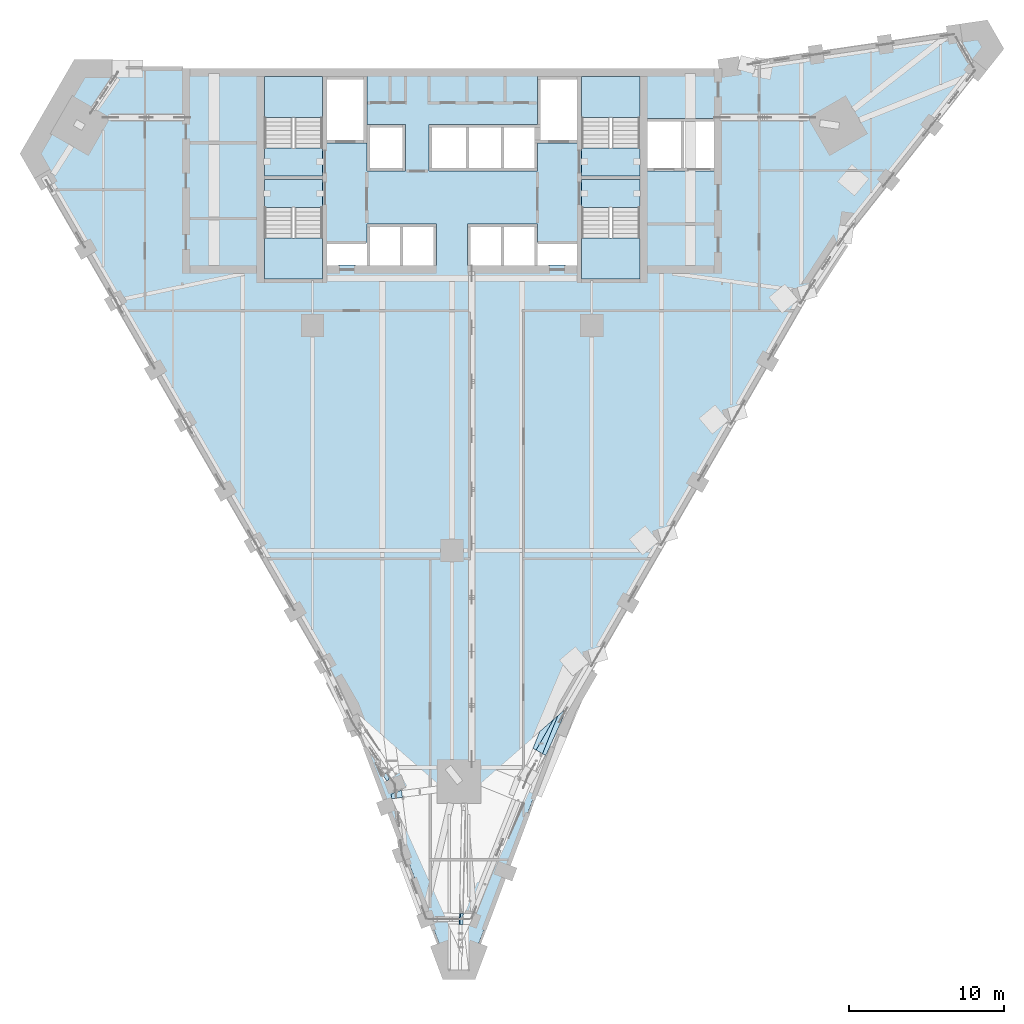
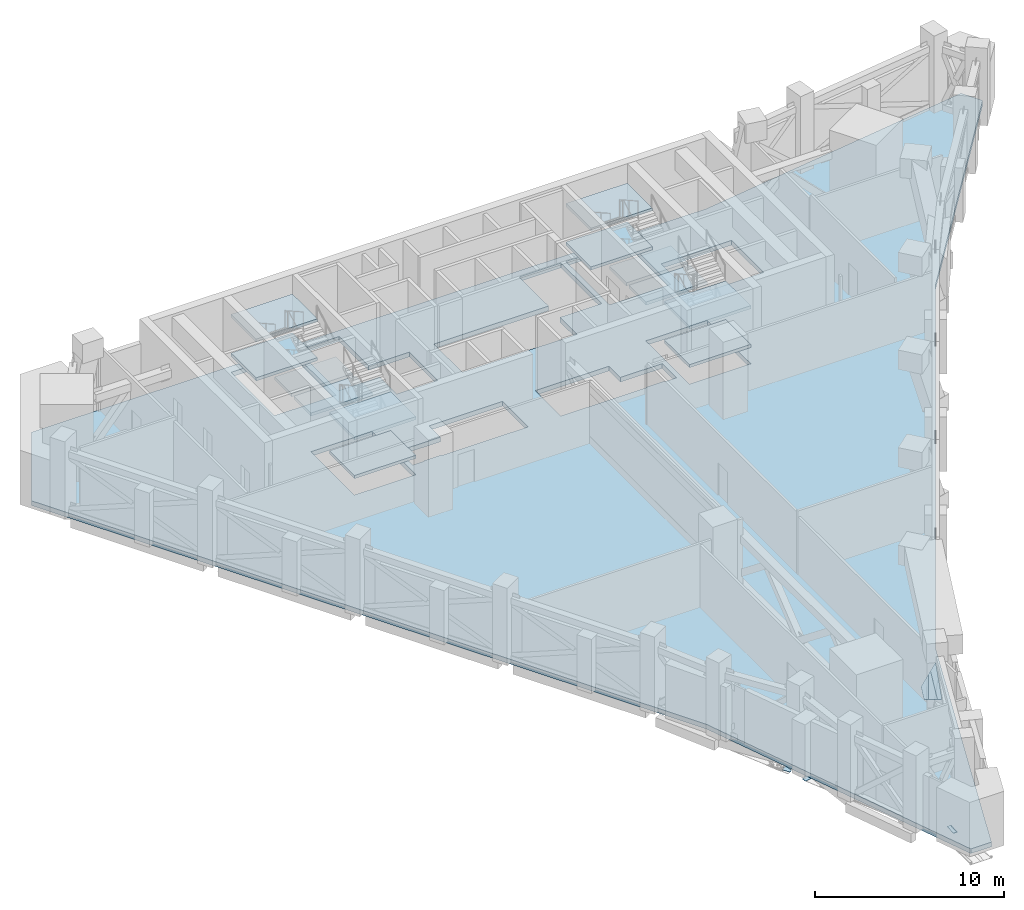
# One storey, part 7 of 20: 13 slabs, 7 plates, 4 elements without a shape of their own.
"""IFC4 building model written with IfcOpenShell, lengths in metres."""

from ifc_helpers import new_model, si_unit, direction, frame, origin, place, context, subcontext, project, spatial, polyline, outline, extrude, material, layer, layer_set, type_object, element, aggregate, save


model = new_model("IFC4")

# Units and contexts
model_context = context("Model", 3, precision=1e-05, world=origin(), true_north=direction((0.0, 1.0)))
body_context = subcontext(model_context, "Body", "Model", "MODEL_VIEW")
ifc_project = project(units=[si_unit("LENGTHUNIT", "METRE"), si_unit("AREAUNIT", "SQUARE_METRE"), si_unit("VOLUMEUNIT", "CUBIC_METRE"), si_unit("PLANEANGLEUNIT", "RADIAN"), si_unit("MASSUNIT", "GRAM", prefix="KILO")], contexts=[model_context])

# Site, building, storey
site_placement = place(None, origin())
site = spatial("IfcSite", under=ifc_project, at=site_placement, CompositionType="ELEMENT")
building_placement = place(site_placement, origin())
building = spatial("IfcBuilding", under=site, at=building_placement, Name="Calabash Gate Tower", CompositionType="ELEMENT")
storey_placement = place(building_placement, frame((0.0, 0.0, 139.60009765625)))
storey = spatial("IfcBuildingStorey", under=building, at=storey_placement, Name="L32", CompositionType="ELEMENT", Elevation=139.60009765625)

# Plates
ifc_material_1 = material(Name="Dark tinted laminated glass", Category="glass")
ifc_layer_1 = layer(ifc_material_1, 0.030029296875)
ifc_layer_set_1 = layer_set([ifc_layer_1], Name="Dark glass soffit plate 30")
plate_type_1 = type_object("IfcPlateType", Name="Dark glass soffit plate 30", PredefinedType="SHEET", material=ifc_layer_set_1)
plate_1_placement = place(storey_placement, frame((6.81103515625, -22.662109375, -0.900146484375), z_axis=(0.009750516129, -0.011611371716, 0.999885045134), x_axis=(0.75478947884, 0.655967054449, 0.000257119872)))
element("IfcPlate", 1, at=plate_1_placement, inside=storey, type_object=plate_type_1, Name="Dark glass soffit SOF-Z3-S-17", PredefinedType="SHEET", context=body_context, shape_type="SweptSolid", body=[
    extrude(outline(polyline([(0.0, 0.0), (0.840087890625, 0.0), (-2.083740234375, -1.347412109375), (-2.268798828125, -1.412109375), (-2.3427734375, -1.200439453125), (0.0, 0.0)])), origin(), (0.0, 0.0, -1.0), 0.030029296875),
])
plate_2_placement = place(storey_placement, frame((6.81103515625, -22.662109375, -0.900146484375), z_axis=(0.010387174626, -0.011975299629, 0.999874341506), x_axis=(-0.372627907834, -0.927952575917, -0.007242869117)))
element("IfcPlate", 2, at=plate_2_placement, inside=storey, type_object=plate_type_1, Name="Dark glass soffit SOF-Z3-S-20", PredefinedType="SHEET", context=body_context, shape_type="SweptSolid", body=[
    extrude(outline(polyline([(0.0, 0.0), (2.632568359375, 0.0), (2.568359375, -0.470947265625), (0.3232421875, -0.164306640625), (0.0, 0.0)])), origin(), (0.0, 0.0, -1.0), 0.030029296875),
])
plate_3_placement = place(storey_placement, frame((5.64990234375, -23.675048828125, -0.900146484375), z_axis=(0.010930622341, -0.012139177884, 0.999866572026), x_axis=(0.753830401326, 0.65706898919, -0.000263593255)))
element("IfcPlate", 3, at=plate_3_placement, inside=storey, type_object=plate_type_1, Name="Dark glass soffit SOF-Z3-S-25", PredefinedType="SHEET", context=body_context, shape_type="SweptSolid", body=[
    extrude(outline(polyline([(0.0, 0.0), (1.17822265625, 0.0), (-0.960693359375, -0.748046875), (-1.03662109375, -0.529052734375), (0.0, 0.0)])), origin(), (0.0, 0.0, -1.0), 0.030029296875),
])
ifc_material_2 = material(Name="Dark bronze anodised aluminium panel", Category="aluminium")
ifc_layer_2 = layer(ifc_material_2, 0.030029296875)
ifc_layer_set_2 = layer_set([ifc_layer_2], Name="Dark soffit panel plate 30")
plate_type_2 = type_object("IfcPlateType", Name="Dark soffit panel plate 30", PredefinedType="SHEET", material=ifc_layer_set_2)
plate_4_placement = place(storey_placement, frame((-3.548095703125, -27.51611328125, -1.005126953125), z_axis=(-0.026302896309, -0.011797475835, 0.999584402244), x_axis=(0.991590225363, 0.126443267453, 0.027584870481)))
element("IfcPlate", 4, at=plate_4_placement, inside=storey, type_object=plate_type_2, Name="Dark soffit panel SOF-Z3-S-28", PredefinedType="SHEET", context=body_context, shape_type="SweptSolid", body=[
    extrude(outline(polyline([(0.0, 0.0), (0.29345703125, 0.0), (0.29345703125, -0.443603515625), (-0.40673828125, -0.444091796875), (-0.40673828125, -0.169921875), (0.0, 0.0)])), origin(), (0.0, 0.0, -1.0), 0.030029296875),
])
plate_5_placement = place(storey_placement, frame((0.467041015625, -35.404052734375, -0.984130859375), z_axis=(0.009366415151, -0.011718087647, 0.999887472013), x_axis=(0.999768702253, -0.019249847888, -0.00959089937)))
element("IfcPlate", 5, at=plate_5_placement, inside=storey, type_object=plate_type_2, Name="Dark soffit panel SOF-Z3-S-36", PredefinedType="SHEET", context=body_context, shape_type="SweptSolid", body=[
    extrude(outline(polyline([(0.0, 0.0), (0.202880859375, 0.0), (0.20166015625, -0.7001953125), (-0.001708984375, -0.69921875), (0.0, 0.0)])), origin(), (0.0, 0.0, -1.0), 0.030029296875),
])
plate_6_placement = place(storey_placement, frame((-4.053955078125, -26.76904296875, -1.010009765625), z_axis=(-0.026130574759, -0.012426256508, 0.999581302952), x_axis=(-0.865004553745, -0.500934509896, -0.028839882045)))
element("IfcPlate", 6, at=plate_6_placement, inside=storey, type_object=plate_type_2, Name="Dark soffit panel SOF-Z3-S-37", PredefinedType="SHEET", context=body_context, shape_type="SweptSolid", body=[
    extrude(outline(polyline([(0.0, 0.0), (0.183837890625, 0.0), (0.208251953125, -0.458984375), (-0.202392578125, -0.4814453125), (0.0, 0.0)])), origin(), (0.0, 0.0, -1.0), 0.030029296875),
])
plate_7_placement = place(storey_placement, frame((0.7041015625, -36.10791015625, -0.9951171875), z_axis=(-0.026733590147, -0.01068313375, 0.999585507003), x_axis=(-0.999317220733, 0.02579635705, -0.026450714709)))
element("IfcPlate", 7, at=plate_7_placement, inside=storey, type_object=plate_type_2, Name="Dark soffit panel SOF-Z3-S-38", PredefinedType="SHEET", context=body_context, shape_type="SweptSolid", body=[
    extrude(outline(polyline([(0.0, 0.0), (0.189453125, 0.0), (0.190185546875, -0.7001953125), (0.0009765625, -0.7001953125), (0.0, 0.0)])), origin(), (0.0, 0.0, -1.0), 0.030029296875),
])

# Slab
ifc_material_3 = material(Name="Concrete C40/50", Category="concrete")
ifc_layer_3 = layer(ifc_material_3, 0.300048828125)
ifc_layer_set_3 = layer_set([ifc_layer_3], Name="Reinforced concrete floor slab 300 Concrete C40/50")
slab_type_1 = type_object("IfcSlabType", Name="Reinforced concrete floor slab 300 Concrete C40/50", PredefinedType="FLOOR", material=ifc_layer_set_3)
slab_1_placement = place(storey_placement, frame((0.0, 0.0, -0.300048828125)))
element("IfcSlab", 8, at=slab_1_placement, inside=storey, type_object=slab_type_1, Name="Floor slab L32", PredefinedType="FLOOR", context=body_context, shape_type="SweptSolid", body=[
    extrude(outline(polyline([(34.856689453125, 20.390625), (24.2099609375, 6.92822265625), (7.444580078125, -22.110595703125), (1.077880859375, -39.050048828125), (-0.188720703125, -39.050048828125), (-6.555419921875, -22.110595703125), (-27.162353515625, 13.581787109375), (-24.00390625, 19.052490234375), (17.2099609375, 19.052490234375), (34.192138671875, 21.54150390625), (34.856689453125, 20.390625)]), holes=[polyline([(-5.5, 9.052490234375), (-5.5, 7.8525390625), (-8.050048828125, 7.8525390625), (-8.050048828125, 6.3525390625), (-7.324951171875, 6.3525390625), (-7.324951171875, 6.402587890625), (-6.22509765625, 6.402587890625), (-6.22509765625, 6.3525390625), (-5.5, 6.3525390625), (-3.25, 6.3525390625), (-1.0, 6.3525390625), (-1.0, 9.052490234375), (-3.25, 9.052490234375), (-5.5, 9.052490234375)]), polyline([(5.5, 9.052490234375), (3.25, 9.052490234375), (1.0, 9.052490234375), (1.0, 6.3525390625), (3.25, 6.3525390625), (5.5, 6.3525390625), (6.22509765625, 6.3525390625), (6.22509765625, 6.402587890625), (7.324951171875, 6.402587890625), (7.324951171875, 6.3525390625), (8.050048828125, 6.3525390625), (8.050048828125, 7.8525390625), (5.5, 7.8525390625), (5.5, 9.052490234375)]), polyline([(-3.0, 12.45263671875), (-3.0, 15.45263671875), (-5.5, 15.45263671875), (-5.5, 18.552490234375), (-8.050048828125, 18.552490234375), (-8.050048828125, 14.252685546875), (-5.5, 14.252685546875), (-5.5, 12.45263671875), (-3.0, 12.45263671875)]), polyline([(-1.5, 12.45263671875), (1.0, 12.45263671875), (3.25, 12.45263671875), (5.5, 12.45263671875), (5.5, 14.252685546875), (8.050048828125, 14.252685546875), (8.050048828125, 18.552490234375), (5.5, 18.552490234375), (5.5, 15.45263671875), (3.25, 15.45263671875), (1.0, 15.45263671875), (-1.5, 15.45263671875), (-1.5, 12.45263671875)]), polyline([(14.85009765625, 12.45263671875), (16.89990234375, 12.45263671875), (16.89990234375, 15.8525390625), (14.85009765625, 15.8525390625), (12.60009765625, 15.8525390625), (12.60009765625, 12.45263671875), (14.85009765625, 12.45263671875)]), polyline([(-8.35009765625, 18.552490234375), (-12.10009765625, 18.552490234375), (-12.10009765625, 13.95263671875), (-8.35009765625, 13.95263671875), (-8.35009765625, 18.552490234375)]), polyline([(-12.10009765625, 10.1025390625), (-12.10009765625, 5.502685546875), (-8.35009765625, 5.502685546875), (-8.35009765625, 10.1025390625), (-12.10009765625, 10.1025390625)]), polyline([(8.35009765625, 13.95263671875), (12.10009765625, 13.95263671875), (12.10009765625, 18.552490234375), (8.35009765625, 18.552490234375), (8.35009765625, 13.95263671875)]), polyline([(12.10009765625, 5.502685546875), (12.10009765625, 10.1025390625), (8.35009765625, 10.1025390625), (8.35009765625, 5.502685546875), (12.10009765625, 5.502685546875)])]), origin(), (0.0, 0.0, 1.0), 0.300048828125),
])

# Stair, slabs
ifc_material_4 = material(Name="Concrete C40/50", Category="concrete")
stair_type = type_object("IfcStairType", Name="Exit stair 32 risers of 156.2 mm", PredefinedType="HALF_TURN_STAIR", material=ifc_material_4)
stair_1_placement = place(storey_placement, origin())
stair_1 = element("IfcStair", 9, at=stair_1_placement, inside=storey, type_object=stair_type, Name="L32 Exit stair ST1", PredefinedType="HALF_TURN_STAIR")
ifc_material_5 = material(Name="Concrete C40/50", Category="concrete")
ifc_layer_4 = layer(ifc_material_5, 0.199951171875)
ifc_layer_set_4 = layer_set([ifc_layer_4], Name="Stair landing SL200")
slab_type_2 = type_object("IfcSlabType", Name="Stair landing SL200", PredefinedType="LANDING", material=ifc_layer_set_4)
slab_2_placement = place(storey_placement, frame((0.0, 0.0, 1.0498046875)))
slab_2 = element("IfcSlab", 10, at=slab_2_placement, type_object=slab_type_2, Name="ST1 landing 1", PredefinedType="LANDING", context=body_context, shape_type="SweptSolid", body=[
    extrude(outline(polyline([(-8.35009765625, 15.905517578125), (-8.35009765625, 18.552490234375), (-12.10009765625, 18.552490234375), (-12.10009765625, 15.905517578125), (-8.35009765625, 15.905517578125)])), origin(), (0.0, 0.0, 1.0), 0.2001953125),
])
slab_3_placement = place(storey_placement, frame((0.0, 0.0, 2.2998046875)))
slab_3 = element("IfcSlab", 11, at=slab_3_placement, type_object=slab_type_2, Name="ST1 landing 2", PredefinedType="LANDING", context=body_context, shape_type="SweptSolid", body=[
    extrude(outline(polyline([(-8.35009765625, 12.152587890625), (-8.35009765625, 13.95263671875), (-12.10009765625, 13.95263671875), (-12.10009765625, 12.152587890625), (-8.35009765625, 12.152587890625)])), origin(), (0.0, 0.0, 1.0), 0.2001953125),
])
slab_4_placement = place(storey_placement, frame((0.0, 0.0, 3.5498046875)))
slab_4 = element("IfcSlab", 12, at=slab_4_placement, type_object=slab_type_2, Name="ST1 landing 3", PredefinedType="LANDING", context=body_context, shape_type="SweptSolid", body=[
    extrude(outline(polyline([(-8.35009765625, 15.905517578125), (-8.35009765625, 18.552490234375), (-12.10009765625, 18.552490234375), (-12.10009765625, 15.905517578125), (-8.35009765625, 15.905517578125)])), origin(), (0.0, 0.0, 1.0), 0.2001953125),
])
aggregate(stair_1, [slab_2, slab_3, slab_4])

stair_2_placement = place(storey_placement, origin())
stair_2 = element("IfcStair", 13, at=stair_2_placement, inside=storey, type_object=stair_type, Name="L32 Exit stair ST2", PredefinedType="HALF_TURN_STAIR")
slab_5_placement = place(storey_placement, frame((0.0, 0.0, 1.0498046875)))
slab_5 = element("IfcSlab", 14, at=slab_5_placement, type_object=slab_type_2, Name="ST2 landing 1", PredefinedType="LANDING", context=body_context, shape_type="SweptSolid", body=[
    extrude(outline(polyline([(-12.10009765625, 8.149658203125), (-12.10009765625, 5.502685546875), (-8.35009765625, 5.502685546875), (-8.35009765625, 8.149658203125), (-12.10009765625, 8.149658203125)])), origin(), (0.0, 0.0, 1.0), 0.2001953125),
])
slab_6_placement = place(storey_placement, frame((0.0, 0.0, 2.2998046875)))
slab_6 = element("IfcSlab", 15, at=slab_6_placement, type_object=slab_type_2, Name="ST2 landing 2", PredefinedType="LANDING", context=body_context, shape_type="SweptSolid", body=[
    extrude(outline(polyline([(-12.10009765625, 11.902587890625), (-12.10009765625, 10.1025390625), (-8.35009765625, 10.1025390625), (-8.35009765625, 11.902587890625), (-12.10009765625, 11.902587890625)])), origin(), (0.0, 0.0, 1.0), 0.2001953125),
])
slab_7_placement = place(storey_placement, frame((0.0, 0.0, 3.5498046875)))
slab_7 = element("IfcSlab", 16, at=slab_7_placement, type_object=slab_type_2, Name="ST2 landing 3", PredefinedType="LANDING", context=body_context, shape_type="SweptSolid", body=[
    extrude(outline(polyline([(-12.10009765625, 8.149658203125), (-12.10009765625, 5.502685546875), (-8.35009765625, 5.502685546875), (-8.35009765625, 8.149658203125), (-12.10009765625, 8.149658203125)])), origin(), (0.0, 0.0, 1.0), 0.2001953125),
])
aggregate(stair_2, [slab_5, slab_6, slab_7])

stair_3_placement = place(storey_placement, origin())
stair_3 = element("IfcStair", 17, at=stair_3_placement, inside=storey, type_object=stair_type, Name="L32 Exit stair ST3", PredefinedType="HALF_TURN_STAIR")
slab_8_placement = place(storey_placement, frame((0.0, 0.0, 1.0498046875)))
slab_8 = element("IfcSlab", 18, at=slab_8_placement, type_object=slab_type_2, Name="ST3 landing 1", PredefinedType="LANDING", context=body_context, shape_type="SweptSolid", body=[
    extrude(outline(polyline([(12.10009765625, 15.905517578125), (12.10009765625, 18.552490234375), (8.35009765625, 18.552490234375), (8.35009765625, 15.905517578125), (12.10009765625, 15.905517578125)])), origin(), (0.0, 0.0, 1.0), 0.2001953125),
])
slab_9_placement = place(storey_placement, frame((0.0, 0.0, 2.2998046875)))
slab_9 = element("IfcSlab", 19, at=slab_9_placement, type_object=slab_type_2, Name="ST3 landing 2", PredefinedType="LANDING", context=body_context, shape_type="SweptSolid", body=[
    extrude(outline(polyline([(12.10009765625, 12.152587890625), (12.10009765625, 13.95263671875), (8.35009765625, 13.95263671875), (8.35009765625, 12.152587890625), (12.10009765625, 12.152587890625)])), origin(), (0.0, 0.0, 1.0), 0.2001953125),
])
slab_10_placement = place(storey_placement, frame((0.0, 0.0, 3.5498046875)))
slab_10 = element("IfcSlab", 20, at=slab_10_placement, type_object=slab_type_2, Name="ST3 landing 3", PredefinedType="LANDING", context=body_context, shape_type="SweptSolid", body=[
    extrude(outline(polyline([(12.10009765625, 15.905517578125), (12.10009765625, 18.552490234375), (8.35009765625, 18.552490234375), (8.35009765625, 15.905517578125), (12.10009765625, 15.905517578125)])), origin(), (0.0, 0.0, 1.0), 0.2001953125),
])
aggregate(stair_3, [slab_8, slab_9, slab_10])

stair_4_placement = place(storey_placement, origin())
stair_4 = element("IfcStair", 21, at=stair_4_placement, inside=storey, type_object=stair_type, Name="L32 Exit stair ST4", PredefinedType="HALF_TURN_STAIR")
slab_11_placement = place(storey_placement, frame((0.0, 0.0, 1.0498046875)))
slab_11 = element("IfcSlab", 22, at=slab_11_placement, type_object=slab_type_2, Name="ST4 landing 1", PredefinedType="LANDING", context=body_context, shape_type="SweptSolid", body=[
    extrude(outline(polyline([(8.35009765625, 8.149658203125), (8.35009765625, 5.502685546875), (12.10009765625, 5.502685546875), (12.10009765625, 8.149658203125), (8.35009765625, 8.149658203125)])), origin(), (0.0, 0.0, 1.0), 0.2001953125),
])
slab_12_placement = place(storey_placement, frame((0.0, 0.0, 2.2998046875)))
slab_12 = element("IfcSlab", 23, at=slab_12_placement, type_object=slab_type_2, Name="ST4 landing 2", PredefinedType="LANDING", context=body_context, shape_type="SweptSolid", body=[
    extrude(outline(polyline([(8.35009765625, 11.902587890625), (8.35009765625, 10.1025390625), (12.10009765625, 10.1025390625), (12.10009765625, 11.902587890625), (8.35009765625, 11.902587890625)])), origin(), (0.0, 0.0, 1.0), 0.2001953125),
])
slab_13_placement = place(storey_placement, frame((0.0, 0.0, 3.5498046875)))
slab_13 = element("IfcSlab", 24, at=slab_13_placement, type_object=slab_type_2, Name="ST4 landing 3", PredefinedType="LANDING", context=body_context, shape_type="SweptSolid", body=[
    extrude(outline(polyline([(8.35009765625, 8.149658203125), (8.35009765625, 5.502685546875), (12.10009765625, 5.502685546875), (12.10009765625, 8.149658203125), (8.35009765625, 8.149658203125)])), origin(), (0.0, 0.0, 1.0), 0.2001953125),
])
aggregate(stair_4, [slab_11, slab_12, slab_13])

save(model, "model.ifc")
